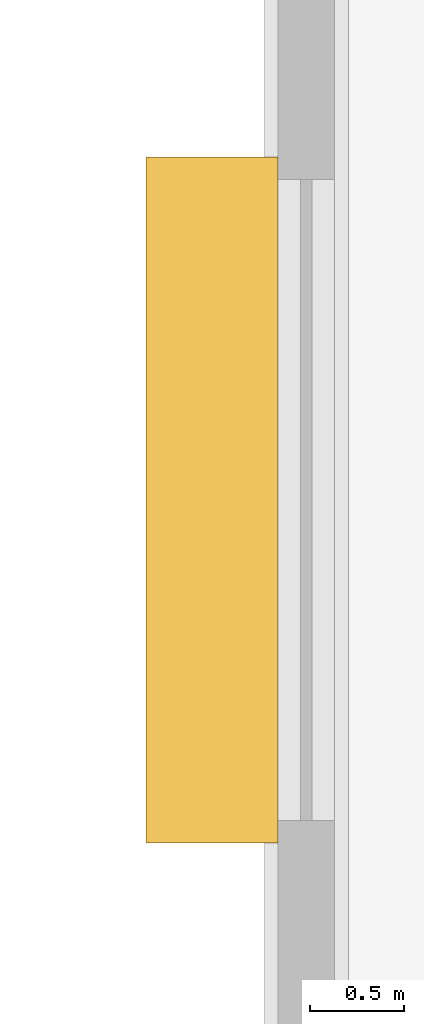
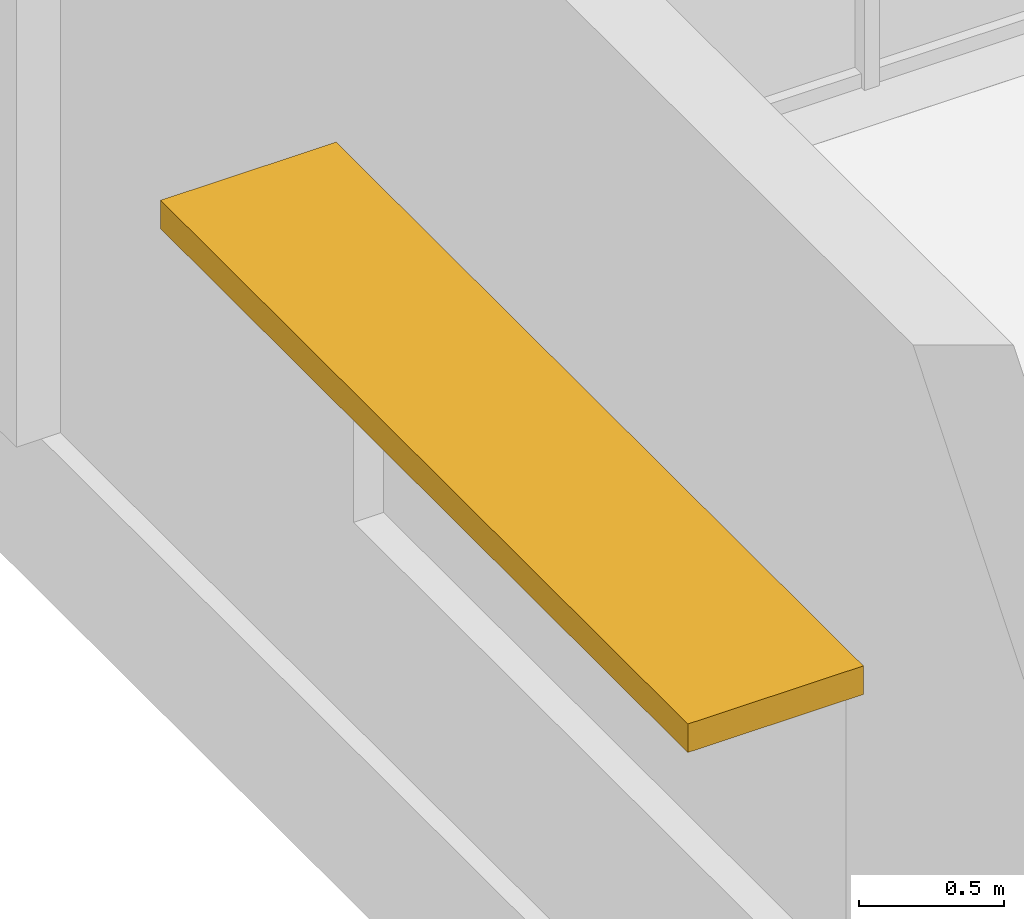
# One storey, part 152 of 152: 1 shading device.
"""IFC4 building model written with IfcOpenShell, lengths in metres."""

from ifc_helpers import new_model, si_unit, direction, frame, origin, origin_2d, place, context, subcontext, project, spatial, rectangle, extrude, material, layer, layer_set, type_object, element, save


model = new_model("IFC4")

# Units and contexts
model_context = context("Model", 3, precision=1e-05, world=origin(), true_north=direction((0.0, 1.0)))
body_context = subcontext(model_context, "Body", "Model", "MODEL_VIEW")
ifc_project = project(units=[si_unit("LENGTHUNIT", "METRE"), si_unit("AREAUNIT", "SQUARE_METRE"), si_unit("VOLUMEUNIT", "CUBIC_METRE"), si_unit("PLANEANGLEUNIT", "RADIAN"), si_unit("MASSUNIT", "GRAM", prefix="KILO")], contexts=[model_context])

# Site, building, storey
site_placement = place(None, origin())
site = spatial("IfcSite", under=ifc_project, at=site_placement, CompositionType="ELEMENT")
building_placement = place(site_placement, origin())
building = spatial("IfcBuilding", under=site, at=building_placement, Name="Oolite Switchyard Hospital", CompositionType="ELEMENT")
storey_placement = place(building_placement, frame((0.0, 0.0, 5.10009765625)))
storey = spatial("IfcBuildingStorey", under=building, at=storey_placement, Name="L01", CompositionType="ELEMENT", Elevation=5.10009765625)

# Shading device
ifc_material = material(Name="Precast oolitic limestone architectural concrete C40/50", Category="masonry")
ifc_layer = layer(ifc_material, 0.1201171875)
ifc_layer_set = layer_set([ifc_layer], Name="SHD-BRISE-900")
shading_device_type = type_object("IfcShadingDeviceType", Name="SHD-BRISE-900", PredefinedType="AWNING", material=ifc_layer_set)
shading_device_placement = place(storey_placement, frame((9.10009765625, 130.199951171875, 2.259765625), z_axis=(0.0, 0.0, 1.0), x_axis=(0.0, 1.0, 0.0)))
element("IfcShadingDevice", 1, at=shading_device_placement, inside=storey, type_object=shading_device_type, Name="L01 Classical Brise-Soleil Sunshade 24", PredefinedType="AWNING", context=body_context, shape_type="SweptSolid", body=[
    extrude(rectangle(XDim=3.639892578125, YDim=0.699951171875, at=origin_2d()), origin(), (0.0, 0.0, 1.0), 0.1201171875),
])

save(model, "model.ifc")
